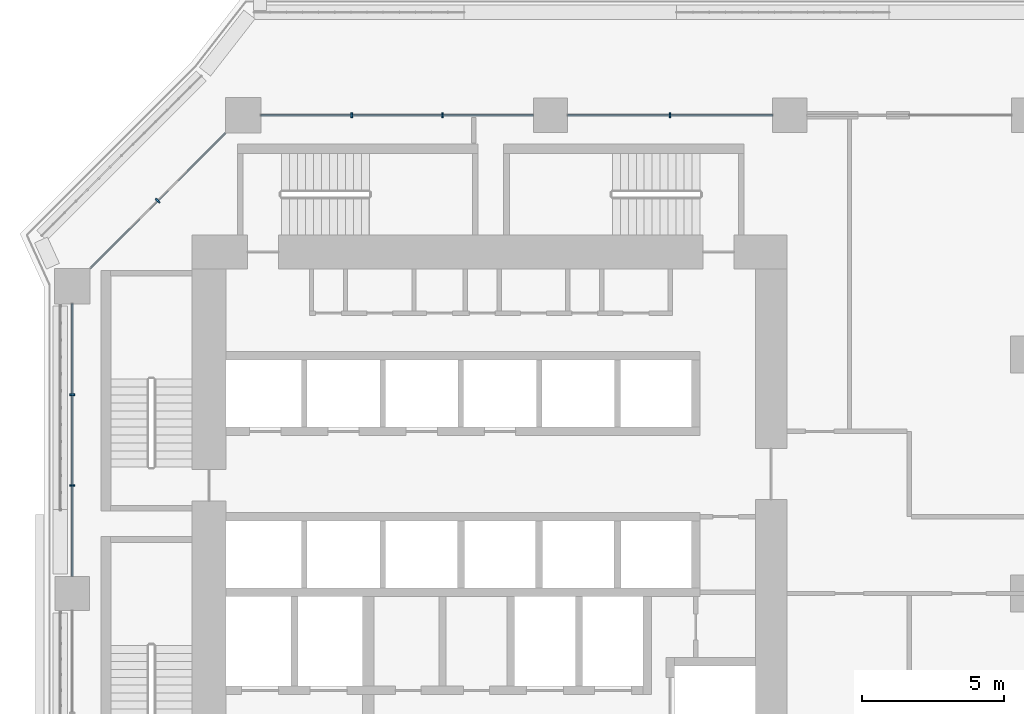
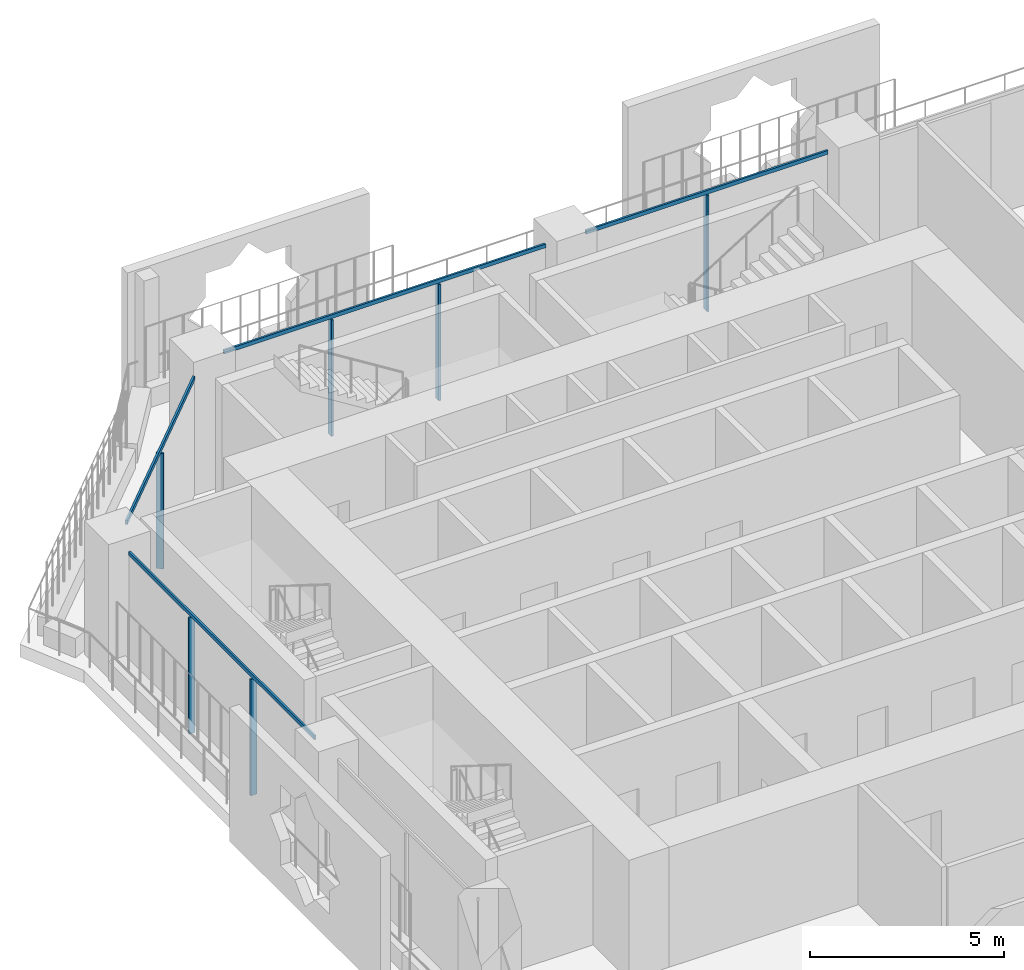
# One storey, part 7 of 28: 10 members, 3 elements without a shape of their own.
"""IFC4 building model written with IfcOpenShell, lengths in metres."""

from ifc_helpers import new_model, si_unit, direction, frame, origin, origin_2d, place, context, subcontext, project, spatial, rectangle, extrude, material, layer, layer_set, material_profile, profile_set, type_object, element, aggregate, save


model = new_model("IFC4")

# Units and contexts
model_context = context("Model", 3, precision=1e-05, world=origin(), true_north=direction((0.0, 1.0)))
body_context = subcontext(model_context, "Body", "Model", "MODEL_VIEW")
ifc_project = project(units=[si_unit("LENGTHUNIT", "METRE"), si_unit("AREAUNIT", "SQUARE_METRE"), si_unit("VOLUMEUNIT", "CUBIC_METRE"), si_unit("PLANEANGLEUNIT", "RADIAN"), si_unit("MASSUNIT", "GRAM", prefix="KILO")], contexts=[model_context])

# Site, building, storey
site_placement = place(None, origin())
site = spatial("IfcSite", under=ifc_project, at=site_placement, CompositionType="ELEMENT")
building_placement = place(site_placement, origin())
building = spatial("IfcBuilding", under=site, at=building_placement, Name="Kawkab Arch Medical Tower", CompositionType="ELEMENT")
storey_placement = place(building_placement, frame((0.0, 0.0, 47.60009765625)))
storey = spatial("IfcBuildingStorey", under=building, at=storey_placement, Name="L10", CompositionType="ELEMENT", Elevation=47.60009765625)

# Curtain wall, members
ifc_material_1 = material(Name="Bronze anodised aluminium curtain wall frame", Category="aluminium")
ifc_layer_1 = layer(ifc_material_1, 0.159912109375)
ifc_layer_set_1 = layer_set([ifc_layer_1], Name="Bronze anodised aluminium curtain wall frame")
curtain_wall_type_1 = type_object("IfcCurtainWallType", Name="CW1 ward curtain wall", PredefinedType="NOTDEFINED", material=ifc_layer_set_1)
placement = place(storey_placement, origin())
curtain_wall_1 = element("IfcCurtainWall", 1, at=placement, inside=storey, type_object=curtain_wall_type_1, Name="CW1 Ward curtain wall R09", PredefinedType="NOTDEFINED")
ifc_material_2 = material(Name="Bronze anodised aluminium curtain wall frame", Category="aluminium")
ifc_material_profile_1 = material_profile(ifc_material_2, rectangle(XDim=0.179931640625, YDim=0.06005859375, at=origin_2d()), Name="AL 60x180")
ifc_profile_set_1 = profile_set([ifc_material_profile_1], Name="Bronze anodised aluminium curtain wall frame")
member_type_1 = type_object("IfcMemberType", Name="CW1 mullion 60 x 180", PredefinedType="MULLION", material=ifc_profile_set_1)
member_1_placement = place(storey_placement, frame((21.0, 0.0, 0.0), z_axis=(0.0, 0.0, 1.0), x_axis=(0.0, -1.0, 0.0)))
member_1 = element("IfcMember", 2, at=member_1_placement, type_object=member_type_1, Name="CW1 mullion 7.1", PredefinedType="MULLION", context=body_context, shape_type="SweptSolid", body=[
    extrude(rectangle(XDim=0.179931640625, YDim=0.06005859375, at=origin_2d()), origin(), (0.0, 0.0, 1.0), 3.659912109375),
])
member_2_placement = place(storey_placement, frame((13.00830078125, 0.0, 0.0), z_axis=(0.0, 0.0, 1.0), x_axis=(0.0, -1.0, 0.0)))
member_2 = element("IfcMember", 3, at=member_2_placement, type_object=member_type_1, Name="CW1 mullion 8.1", PredefinedType="MULLION", context=body_context, shape_type="SweptSolid", body=[
    extrude(rectangle(XDim=0.179931640625, YDim=0.06005859375, at=origin_2d()), origin(), (0.0, 0.0, 1.0), 3.659912109375),
])
member_3_placement = place(storey_placement, frame((9.816650390625, 0.0, 0.0), z_axis=(0.0, 0.0, 1.0), x_axis=(0.0, -1.0, 0.0)))
member_3 = element("IfcMember", 4, at=member_3_placement, type_object=member_type_1, Name="CW1 mullion 8.2", PredefinedType="MULLION", context=body_context, shape_type="SweptSolid", body=[
    extrude(rectangle(XDim=0.179931640625, YDim=0.06005859375, at=origin_2d()), origin(), (0.0, 0.0, 1.0), 3.659912109375),
])

curtain_wall_2 = element("IfcCurtainWall", 5, at=placement, inside=storey, type_object=curtain_wall_type_1, Name="CW1 Ward curtain wall R11", PredefinedType="NOTDEFINED")
member_4_placement = place(storey_placement, frame((0.0, -9.816650390625, 0.0), z_axis=(0.0, 0.0, 1.0), x_axis=(1.0, 0.0, 0.0)))
member_4 = element("IfcMember", 6, at=member_4_placement, type_object=member_type_1, Name="CW1 mullion 1.1", PredefinedType="MULLION", context=body_context, shape_type="SweptSolid", body=[
    extrude(rectangle(XDim=0.179931640625, YDim=0.06005859375, at=origin_2d()), origin(), (0.0, 0.0, 1.0), 3.659912109375),
])
member_5_placement = place(storey_placement, frame((0.0, -13.00830078125, 0.0), z_axis=(0.0, 0.0, 1.0), x_axis=(1.0, 0.0, 0.0)))
member_5 = element("IfcMember", 7, at=member_5_placement, type_object=member_type_1, Name="CW1 mullion 1.2", PredefinedType="MULLION", context=body_context, shape_type="SweptSolid", body=[
    extrude(rectangle(XDim=0.179931640625, YDim=0.06005859375, at=origin_2d()), origin(), (0.0, 0.0, 1.0), 3.659912109375),
])

# Member
ifc_material_3 = material(Name="Bronze anodised aluminium curtain wall frame", Category="aluminium")
ifc_material_profile_2 = material_profile(ifc_material_3, rectangle(XDim=0.06005859375, YDim=0.1201171875, at=origin_2d()), Name="AL 60x120")
ifc_profile_set_2 = profile_set([ifc_material_profile_2], Name="Bronze anodised aluminium curtain wall frame")
member_type_2 = type_object("IfcMemberType", Name="CW1 transom 120 x 60", PredefinedType="USERDEFINED", material=ifc_profile_set_2)
member_6_placement = place(storey_placement, frame((24.60009765625, 0.0, 3.719970703125), z_axis=(-1.0, 0.0, 0.0), x_axis=(0.0, -1.0, 0.0)))
member_6 = element("IfcMember", 8, at=member_6_placement, type_object=member_type_2, Name="CW1 transom 7", ObjectType="TRANSOM", PredefinedType="USERDEFINED", context=body_context, shape_type="SweptSolid", body=[
    extrude(rectangle(XDim=0.06005859375, YDim=0.1201171875, at=origin_2d()), origin(), (0.0, 0.0, 1.0), 7.2001953125),
])

member_7_placement = place(storey_placement, frame((16.199951171875, 0.0, 3.719970703125), z_axis=(-1.0, 0.0, 0.0), x_axis=(0.0, -1.0, 0.0)))
member_7 = element("IfcMember", 9, at=member_7_placement, type_object=member_type_2, Name="CW1 transom 8", ObjectType="TRANSOM", PredefinedType="USERDEFINED", context=body_context, shape_type="SweptSolid", body=[
    extrude(rectangle(XDim=0.06005859375, YDim=0.1201171875, at=origin_2d()), origin(), (0.0, 0.0, 1.0), 9.574951171875),
])

aggregate(curtain_wall_1, [member_6, member_1, member_7, member_2, member_3])

member_8_placement = place(storey_placement, frame((0.0, -6.625, 3.719970703125), z_axis=(0.0, -1.0, 0.0), x_axis=(1.0, 0.0, 0.0)))
member_8 = element("IfcMember", 10, at=member_8_placement, type_object=member_type_2, Name="CW1 transom 1", ObjectType="TRANSOM", PredefinedType="USERDEFINED", context=body_context, shape_type="SweptSolid", body=[
    extrude(rectangle(XDim=0.06005859375, YDim=0.1201171875, at=origin_2d()), origin(), (0.0, 0.0, 1.0), 9.574951171875),
])

aggregate(curtain_wall_2, [member_8, member_4, member_5])

# Curtain wall, members
ifc_material_4 = material(Name="Bronze anodised aluminium curtain wall frame", Category="aluminium")
ifc_layer_2 = layer(ifc_material_4, 0.159912109375)
ifc_layer_set_2 = layer_set([ifc_layer_2], Name="Bronze anodised aluminium curtain wall frame")
curtain_wall_type_2 = type_object("IfcCurtainWallType", Name="CW2 chamfer curtain wall", PredefinedType="NOTDEFINED", material=ifc_layer_set_2)
curtain_wall_3 = element("IfcCurtainWall", 11, at=placement, inside=storey, type_object=curtain_wall_type_2, Name="CW2 Chamfer curtain wall R10", PredefinedType="NOTDEFINED")
ifc_material_5 = material(Name="Bronze anodised aluminium curtain wall frame", Category="aluminium")
ifc_material_profile_3 = material_profile(ifc_material_5, rectangle(XDim=0.199951171875, YDim=0.06005859375, at=origin_2d()), Name="AL 60x200")
ifc_profile_set_3 = profile_set([ifc_material_profile_3], Name="Bronze anodised aluminium curtain wall frame")
member_type_3 = type_object("IfcMemberType", Name="CW2 mullion 60 x 200", PredefinedType="MULLION", material=ifc_profile_set_3)
member_9_placement = place(storey_placement, frame((3.0, -3.0, 0.0), z_axis=(0.0, 0.0, 1.0), x_axis=(0.707106781187, -0.707106781187, 0.0)))
member_9 = element("IfcMember", 12, at=member_9_placement, type_object=member_type_3, Name="CW2 mullion 1.1", PredefinedType="MULLION", context=body_context, shape_type="SweptSolid", body=[
    extrude(rectangle(XDim=0.199951171875, YDim=0.06005859375, at=origin_2d()), origin(), (0.0, 0.0, 1.0), 3.639892578125),
])
ifc_material_6 = material(Name="Bronze anodised aluminium curtain wall frame", Category="aluminium")
ifc_material_profile_4 = material_profile(ifc_material_6, rectangle(XDim=0.06005859375, YDim=0.139892578125, at=origin_2d()), Name="AL 60x140")
ifc_profile_set_4 = profile_set([ifc_material_profile_4], Name="Bronze anodised aluminium curtain wall frame")
member_type_4 = type_object("IfcMemberType", Name="CW2 transom 140 x 60", PredefinedType="USERDEFINED", material=ifc_profile_set_4)
member_10_placement = place(storey_placement, frame((5.375, -0.625, 3.7099609375), z_axis=(-0.707106781187, -0.707106781187, 0.0), x_axis=(0.707106781187, -0.707106781187, 0.0)))
member_10 = element("IfcMember", 13, at=member_10_placement, type_object=member_type_4, Name="CW2 transom 1", ObjectType="TRANSOM", PredefinedType="USERDEFINED", context=body_context, shape_type="SweptSolid", body=[
    extrude(rectangle(XDim=0.06005859375, YDim=0.139892578125, at=origin_2d()), origin(), (0.0, 0.0, 1.0), 6.717529296875),
])
aggregate(curtain_wall_3, [member_10, member_9])

save(model, "model.ifc")
